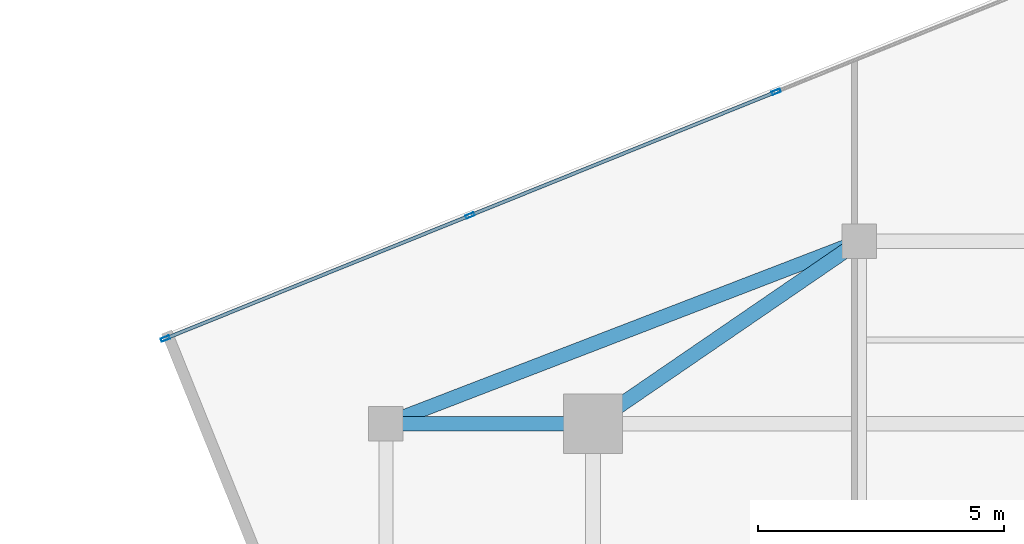
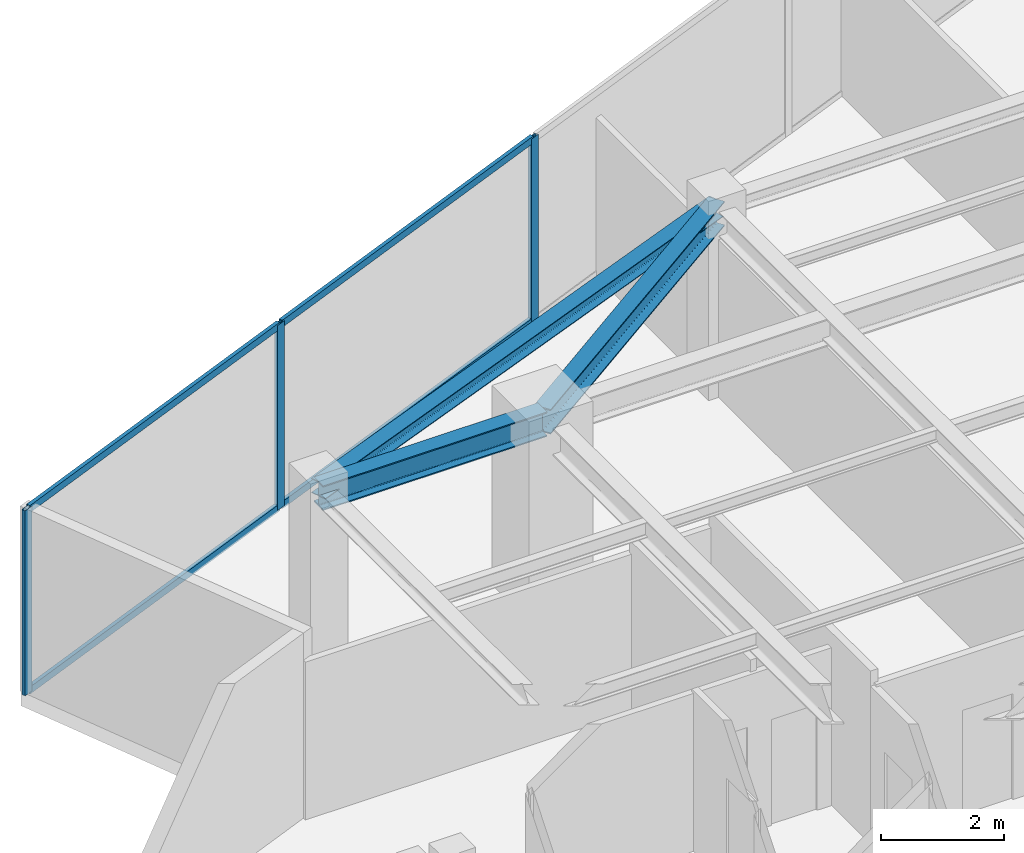
# One storey, part 13 of 21: 7 members, 3 beams, 1 element without a shape of its own.
"""IFC4 building model written with IfcOpenShell, lengths in metres."""

from ifc_helpers import new_model, si_unit, direction, frame, origin, origin_2d, place, context, subcontext, project, spatial, hollow_rectangle, i_section, extrude, source, transform, mapped, material, material_profile, profile_set, type_object, type_shapes, element, aggregate, save


model = new_model("IFC4")

# Units and contexts
model_context = context("Model", 3, precision=1e-05, world=origin(), true_north=direction((0.0, 1.0)))
body_context = subcontext(model_context, "Body", "Model", "MODEL_VIEW")
ifc_project = project(units=[si_unit("LENGTHUNIT", "METRE"), si_unit("AREAUNIT", "SQUARE_METRE"), si_unit("VOLUMEUNIT", "CUBIC_METRE"), si_unit("PLANEANGLEUNIT", "RADIAN"), si_unit("MASSUNIT", "GRAM", prefix="KILO")], contexts=[model_context])

# Site, building, storey
site_placement = place(None, origin())
site = spatial("IfcSite", under=ifc_project, at=site_placement, CompositionType="ELEMENT")
building_placement = place(site_placement, origin())
building = spatial("IfcBuilding", under=site, at=building_placement, Name="Krantzveldt Concourse Tower", CompositionType="ELEMENT")
storey_placement = place(building_placement, frame((0.0, 0.0, 323.75)))
storey = spatial("IfcBuildingStorey", under=building, at=storey_placement, Name="L79", CompositionType="ELEMENT", Elevation=323.75)

# Beams
ifc_material_1 = material(Name="Steel S355JR", Category="steel")
ifc_material_profile_1 = material_profile(ifc_material_1, i_section(OverallWidth=0.300048828125, OverallDepth=0.489990234375, WebThickness=0.011962890625, FlangeThickness=0.02294921875, FilletRadius=0.027099609375, at=origin_2d()), Name="Steel S355JR", Category="steel")
ifc_profile_set_1 = profile_set([ifc_material_profile_1], Name="Steel S355JR - HEA 500")
beam_type_1 = type_object("IfcBeamType", Name="BM-B-HEA500", PredefinedType="BEAM", material=ifc_profile_set_1)
shared_shape_1 = source(origin(), body_context, "Body", "SweptSolid", [
    extrude(i_section(OverallWidth=0.300048828125, OverallDepth=0.489990234375, WebThickness=0.011962890625, FlangeThickness=0.02294921875, FilletRadius=0.027099609375, at=origin_2d()), origin(), (0.0, 0.0, 1.0), 4.199951171875),
])
beam_1_placement = place(storey_placement, frame((21.0, 37.5, 3.425048828125), z_axis=(1.0, 0.0, 0.0), x_axis=(0.0, 1.0, 0.0)))
element("IfcBeam", 1, at=beam_1_placement, inside=storey, type_object=beam_type_1, Name="L79 Tower Girder BR-RL3", PredefinedType="BEAM", context=body_context, shape_type="MappedRepresentation", body=[
    mapped(shared_shape_1, transform((0.0, 0.0, 0.0), x_axis=(1.0, 0.0, 0.0), y_axis=(0.0, 1.0, 0.0), z_axis=(0.0, 0.0, 1.0), scale=1.0)),
])
shared_shape_2 = source(origin(), body_context, "Body", "SweptSolid", [
    extrude(i_section(OverallWidth=0.300048828125, OverallDepth=0.489990234375, WebThickness=0.011962890625, FlangeThickness=0.02294921875, FilletRadius=0.027099609375, at=origin_2d()), origin(), (0.0, 0.0, 1.0), 6.546142578125),
])
type_shapes(beam_type_1, [shared_shape_1, shared_shape_2])
beam_2_placement = place(storey_placement, frame((25.199951171875, 37.5, 3.425048828125), z_axis=(0.824942999484, 0.565215930068, 0.0), x_axis=(-0.565215930068, 0.824942999484, 0.0)))
element("IfcBeam", 2, at=beam_2_placement, inside=storey, type_object=beam_type_1, Name="L79 Tower Girder BR-RL4", PredefinedType="BEAM", context=body_context, shape_type="MappedRepresentation", body=[
    mapped(shared_shape_2, transform((0.0, 0.0, 0.0), x_axis=(1.0, 0.0, 0.0), y_axis=(0.0, 1.0, 0.0), z_axis=(0.0, 0.0, 1.0), scale=1.0)),
])
ifc_material_profile_2 = material_profile(ifc_material_1, i_section(OverallWidth=0.2900390625, OverallDepth=0.2900390625, WebThickness=0.008544921875, FlangeThickness=0.013916015625, FilletRadius=0.027099609375, at=origin_2d()), Name="Steel S355JR", Category="steel")
ifc_profile_set_2 = profile_set([ifc_material_profile_2], Name="Steel S355JR - HEA 300")
beam_type_2 = type_object("IfcBeamType", Name="BM-SP-HEA300", PredefinedType="SPANDREL", material=ifc_profile_set_2)
shared_shape_3 = source(origin(), body_context, "Body", "SweptSolid", [
    extrude(i_section(OverallWidth=0.2900390625, OverallDepth=0.2900390625, WebThickness=0.008544921875, FlangeThickness=0.013916015625, FilletRadius=0.027099609375, at=origin_2d()), origin(), (0.0, 0.0, 1.0), 10.288330078125),
])
type_shapes(beam_type_2, [shared_shape_3])
beam_3_placement = place(storey_placement, frame((21.0, 37.5, 3.52490234375), z_axis=(0.933097690408, 0.359622997257, 0.0), x_axis=(-0.359622997257, 0.933097690408, 0.0)))
element("IfcBeam", 3, at=beam_3_placement, inside=storey, type_object=beam_type_2, Name="L79 Tower Girder SP-R03", PredefinedType="SPANDREL", context=body_context, shape_type="MappedRepresentation", body=[
    mapped(shared_shape_3, transform((0.0, 0.0, 0.0), x_axis=(1.0, 0.0, 0.0), y_axis=(0.0, 1.0, 0.0), z_axis=(0.0, 0.0, 1.0), scale=1.0)),
])

# Curtain wall, members
ifc_material_2 = material(Name="Anodised aluminium 6063-T6", Category="aluminium")
curtain_wall_type = type_object("IfcCurtainWallType", Name="CW4", PredefinedType="USERDEFINED", material=ifc_material_2)
curtain_wall_placement = place(storey_placement, origin())
curtain_wall = element("IfcCurtainWall", 4, at=curtain_wall_placement, inside=storey, type_object=curtain_wall_type, Name="CW-L79-F01", ObjectType="UNITISED CURTAIN WALL", PredefinedType="USERDEFINED")
ifc_material_profile_3 = material_profile(ifc_material_2, hollow_rectangle(XDim=0.070068359375, YDim=0.179931640625, WallThickness=0.0048828125, at=origin_2d()), Name="Anodised aluminium 6063-T6", Category="aluminium")
ifc_profile_set_3 = profile_set([ifc_material_profile_3], Name="Anodised aluminium 6063-T6 - ALU-MULL 180x70x5")
member_type_1 = type_object("IfcMemberType", Name="CW-MUL-180", PredefinedType="MULLION", material=ifc_profile_set_3)
shared_shape_4 = source(origin(), body_context, "Body", "SweptSolid", [
    extrude(hollow_rectangle(XDim=0.070068359375, YDim=0.179931640625, WallThickness=0.0048828125, at=origin_2d()), origin(), (0.0, 0.0, 1.0), 3.669921875),
])
type_shapes(member_type_1, [shared_shape_4])
member_1_placement = place(storey_placement, frame((28.916259765625, 44.233154296875, 0.0), z_axis=(0.0, 0.0, 1.0), x_axis=(0.374606664198, -0.927183825969, 0.0)))
member_1 = element("IfcMember", 5, at=member_1_placement, type_object=member_type_1, Name="CW-Z56 mullion 3", PredefinedType="MULLION", context=body_context, shape_type="MappedRepresentation", body=[
    mapped(shared_shape_4, transform((0.0, 0.0, 0.0), x_axis=(1.0, 0.0, 0.0), y_axis=(0.0, 1.0, 0.0), z_axis=(0.0, 0.0, 1.0), scale=1.0)),
])
member_2_placement = place(storey_placement, frame((22.7041015625, 41.72314453125, 0.0), z_axis=(0.0, 0.0, 1.0), x_axis=(0.374606664198, -0.927183825969, 0.0)))
member_2 = element("IfcMember", 6, at=member_2_placement, type_object=member_type_1, Name="CW-Z56 mullion 4", PredefinedType="MULLION", context=body_context, shape_type="MappedRepresentation", body=[
    mapped(shared_shape_4, transform((0.0, 0.0, 0.0), x_axis=(1.0, 0.0, 0.0), y_axis=(0.0, 1.0, 0.0), z_axis=(0.0, 0.0, 1.0), scale=1.0)),
])
member_3_placement = place(storey_placement, frame((16.5244140625, 39.226318359375, 0.0), z_axis=(0.0, 0.0, 1.0), x_axis=(0.374606664198, -0.927183825969, 0.0)))
member_3 = element("IfcMember", 7, at=member_3_placement, type_object=member_type_1, Name="CW-Z56 mullion 5", PredefinedType="MULLION", context=body_context, shape_type="MappedRepresentation", body=[
    mapped(shared_shape_4, transform((0.0, 0.0, 0.0), x_axis=(1.0, 0.0, 0.0), y_axis=(0.0, 1.0, 0.0), z_axis=(0.0, 0.0, 1.0), scale=1.0)),
])
ifc_material_profile_4 = material_profile(ifc_material_2, hollow_rectangle(XDim=0.070068359375, YDim=0.139892578125, WallThickness=0.0048828125, at=origin_2d()), Name="Anodised aluminium 6063-T6", Category="aluminium")
ifc_profile_set_4 = profile_set([ifc_material_profile_4], Name="Anodised aluminium 6063-T6 - ALU-TRAN 140x70x5")
member_type_2 = type_object("IfcMemberType", Name="CW-TRN-150", PredefinedType="USERDEFINED", material=ifc_profile_set_4)
shared_shape_5 = source(origin(), body_context, "Body", "SweptSolid", [
    extrude(hollow_rectangle(XDim=0.070068359375, YDim=0.139892578125, WallThickness=0.0048828125, at=origin_2d()), origin(), (0.0, 0.0, 1.0), 6.594970703125),
])
member_4_placement = place(storey_placement, frame((22.671630859375, 41.7099609375, 0.034912109375), z_axis=(-0.927186951391, -0.374598928417, 0.0), x_axis=(0.374598928417, -0.927186951391, 0.0)))
member_4 = element("IfcMember", 8, at=member_4_placement, type_object=member_type_2, Name="CW-Z56 transom 4.1", ObjectType="TRANSOM", PredefinedType="USERDEFINED", context=body_context, shape_type="MappedRepresentation", body=[
    mapped(shared_shape_5, transform((0.0, 0.0, 0.0), x_axis=(1.0, 0.0, 0.0), y_axis=(0.0, 1.0, 0.0), z_axis=(0.0, 0.0, 1.0), scale=1.0)),
])
member_5_placement = place(storey_placement, frame((22.671630859375, 41.7099609375, 3.635009765625), z_axis=(-0.927186951391, -0.374598928417, 0.0), x_axis=(0.374598928417, -0.927186951391, 0.0)))
member_5 = element("IfcMember", 9, at=member_5_placement, type_object=member_type_2, Name="CW-Z56 transom 4.2", ObjectType="TRANSOM", PredefinedType="USERDEFINED", context=body_context, shape_type="MappedRepresentation", body=[
    mapped(shared_shape_5, transform((0.0, 0.0, 0.0), x_axis=(1.0, 0.0, 0.0), y_axis=(0.0, 1.0, 0.0), z_axis=(0.0, 0.0, 1.0), scale=1.0)),
])
shared_shape_6 = source(origin(), body_context, "Body", "SweptSolid", [
    extrude(hollow_rectangle(XDim=0.070068359375, YDim=0.139892578125, WallThickness=0.0048828125, at=origin_2d()), origin(), (0.0, 0.0, 1.0), 6.6298828125),
])
type_shapes(member_type_2, [shared_shape_5, shared_shape_6])
member_6_placement = place(storey_placement, frame((28.8837890625, 44.219970703125, 0.034912109375), z_axis=(-0.92718355196, -0.374607342392, 0.0), x_axis=(0.374607342392, -0.92718355196, 0.0)))
member_6 = element("IfcMember", 10, at=member_6_placement, type_object=member_type_2, Name="CW-Z56 transom 3.1", ObjectType="TRANSOM", PredefinedType="USERDEFINED", context=body_context, shape_type="MappedRepresentation", body=[
    mapped(shared_shape_6, transform((0.0, 0.0, 0.0), x_axis=(1.0, 0.0, 0.0), y_axis=(0.0, 1.0, 0.0), z_axis=(0.0, 0.0, 1.0), scale=1.0)),
])
member_7_placement = place(storey_placement, frame((28.8837890625, 44.219970703125, 3.635009765625), z_axis=(-0.92718355196, -0.374607342392, 0.0), x_axis=(0.374607342392, -0.92718355196, 0.0)))
member_7 = element("IfcMember", 11, at=member_7_placement, type_object=member_type_2, Name="CW-Z56 transom 3.2", ObjectType="TRANSOM", PredefinedType="USERDEFINED", context=body_context, shape_type="MappedRepresentation", body=[
    mapped(shared_shape_6, transform((0.0, 0.0, 0.0), x_axis=(1.0, 0.0, 0.0), y_axis=(0.0, 1.0, 0.0), z_axis=(0.0, 0.0, 1.0), scale=1.0)),
])
aggregate(curtain_wall, [member_1, member_2, member_3, member_6, member_7, member_4, member_5])

save(model, "model.ifc")
